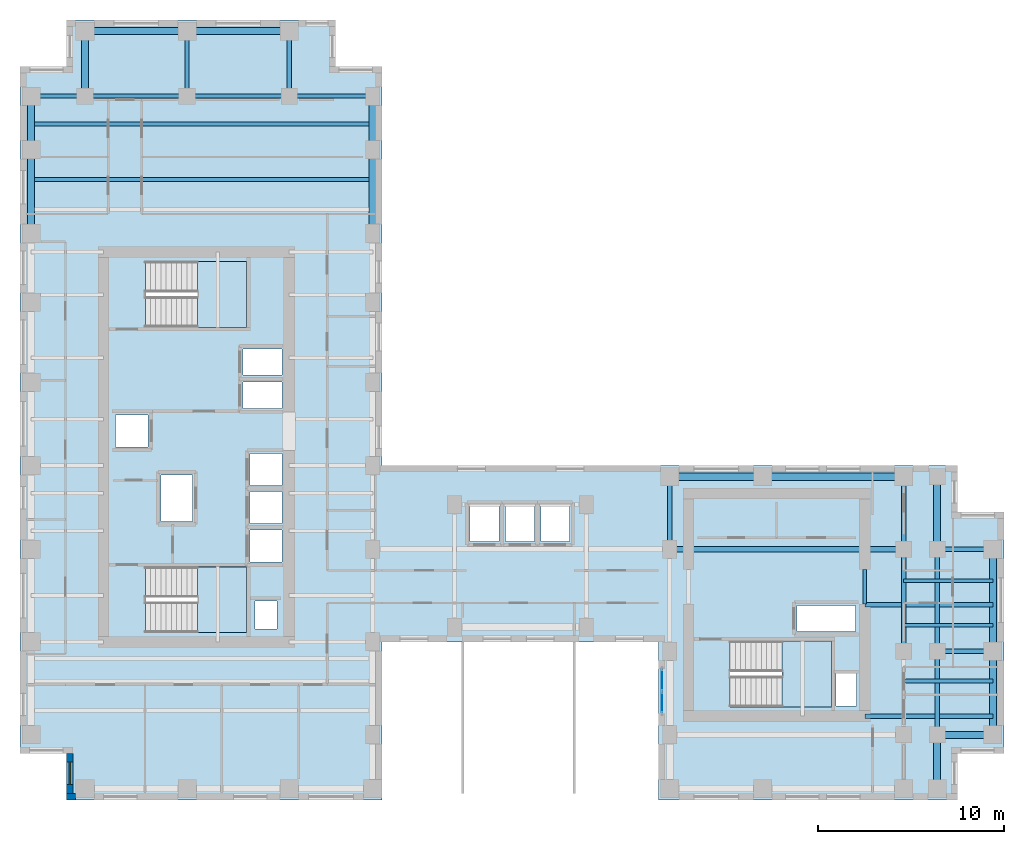
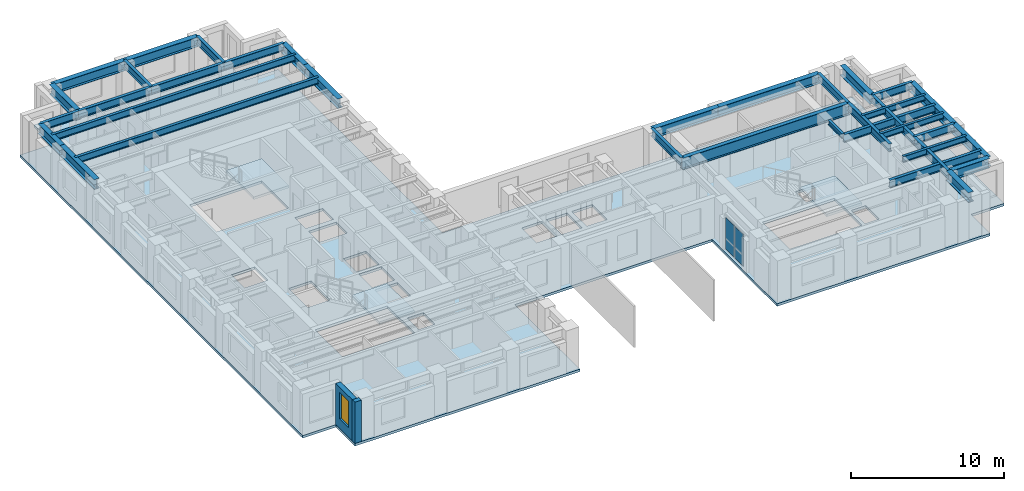
# One storey, part 3 of 12: 36 beams, 4 slabs, 2 plates, 2 walls, 1 window, 1 opening, 4 elements without a shape of their own.
"""IFC4 building model written with IfcOpenShell, lengths in metres."""

from ifc_helpers import new_model, si_unit, direction, frame, frame_2d, origin, origin_2d, place, context, subcontext, project, spatial, polyline, rectangle, i_section, outline, extrude, source, transform, mapped, material, layer, layer_set, material_profile, profile_set, type_object, element, fill, aggregate, save


model = new_model("IFC4")

# Units and contexts
model_context = context("Model", 3, precision=1e-05, world=origin(), true_north=direction((0.0, 1.0)))
body_context = subcontext(model_context, "Body", "Model", "MODEL_VIEW")
ifc_project = project(units=[si_unit("LENGTHUNIT", "METRE"), si_unit("AREAUNIT", "SQUARE_METRE"), si_unit("VOLUMEUNIT", "CUBIC_METRE"), si_unit("PLANEANGLEUNIT", "RADIAN"), si_unit("MASSUNIT", "GRAM", prefix="KILO")], contexts=[model_context])

# Site, building, storey
site_placement = place(None, origin())
site = spatial("IfcSite", under=ifc_project, at=site_placement, CompositionType="ELEMENT")
building_placement = place(site_placement, origin())
building = spatial("IfcBuilding", under=site, at=building_placement, Name="Kharzan Plaza Tower", CompositionType="ELEMENT")
storey_placement = place(building_placement, frame((0.0, 0.0, 204.300048828125)))
storey = spatial("IfcBuildingStorey", under=building, at=storey_placement, Name="L55", CompositionType="ELEMENT", Elevation=204.300048828125)

# Beams
ifc_material_1 = material(Name="Steel S355", Category="steel")
ifc_material_profile_1 = material_profile(ifc_material_1, i_section(OverallWidth=0.205078125, OverallDepth=0.35400390625, WebThickness=0.009521484375, FlangeThickness=0.016845703125, at=origin_2d()), Name="W360x79")
ifc_profile_set_1 = profile_set([ifc_material_profile_1], Name="Steel S355")
beam_type_1 = type_object("IfcBeamType", Name="BM-LNT360", PredefinedType="LINTEL", material=ifc_profile_set_1)
shared_shape_1 = source(origin(), body_context, "Body", "SweptSolid", [
    extrude(i_section(OverallWidth=0.205078125, OverallDepth=0.35400390625, WebThickness=0.009521484375, FlangeThickness=0.016845703125, at=origin_2d()), origin(), (0.0, 0.0, 1.0), 1.849853515625),
])
beam_1_placement = place(storey_placement, frame((45.5, 10.550048828125, 3.14306640625), z_axis=(0.0, 1.0, 0.0), x_axis=(-1.0, 0.0, 0.0)))
element("IfcBeam", 1, at=beam_1_placement, inside=storey, type_object=beam_type_1, Name="L55 CORE-B coupling lintel LN1-WE", PredefinedType="LINTEL", context=body_context, shape_type="MappedRepresentation", body=[
    mapped(shared_shape_1, transform((0.0, 0.0, 0.0), x_axis=(1.0, 0.0, 0.0), y_axis=(0.0, 1.0, 0.0), z_axis=(0.0, 0.0, 1.0))),
])
ifc_material_profile_2 = material_profile(ifc_material_1, i_section(OverallWidth=0.304931640625, OverallDepth=0.9189453125, WebThickness=0.017333984375, FlangeThickness=0.02783203125, at=origin_2d()), Name="W920x253")
ifc_profile_set_2 = profile_set([ifc_material_profile_2], Name="Steel S355")
beam_type_2 = type_object("IfcBeamType", Name="BM-FG920B", PredefinedType="BEAM", material=ifc_profile_set_2)
shared_shape_2 = source(origin(), body_context, "Body", "SweptSolid", [
    extrude(i_section(OverallWidth=0.304931640625, OverallDepth=0.9189453125, WebThickness=0.017333984375, FlangeThickness=0.02783203125, at=origin_2d()), origin(), (0.0, 0.0, 1.0), 12.60009765625),
])
beam_2_placement = place(storey_placement, frame((35.0, 13.5, 2.8603515625), z_axis=(1.0, 0.0, 0.0), x_axis=(0.0, 1.0, 0.0)))
element("IfcBeam", 2, at=beam_2_placement, inside=storey, type_object=beam_type_2, Name="L55 Primary Floor Girder", PredefinedType="BEAM", context=body_context, shape_type="MappedRepresentation", body=[
    mapped(shared_shape_2, transform((0.0, 0.0, 0.0), x_axis=(1.0, 0.0, 0.0), y_axis=(0.0, 1.0, 0.0), z_axis=(0.0, 0.0, 1.0))),
])
ifc_material_profile_3 = material_profile(ifc_material_1, i_section(OverallWidth=0.2099609375, OverallDepth=0.537109375, WebThickness=0.010986328125, FlangeThickness=0.017333984375, at=origin_2d()), Name="W530x101")
ifc_profile_set_3 = profile_set([ifc_material_profile_3], Name="Steel S355")
beam_type_3 = type_object("IfcBeamType", Name="BM-JST530B", PredefinedType="JOIST", material=ifc_profile_set_3)
shared_shape_3 = source(origin(), body_context, "Body", "SweptSolid", [
    extrude(i_section(OverallWidth=0.2099609375, OverallDepth=0.537109375, WebThickness=0.010986328125, FlangeThickness=0.017333984375, at=origin_2d()), origin(), (0.0, 0.0, 1.0), 18.39990234375),
])
for number, where, z_axis, x_axis, name in (
    (3, (0.60009765625, 33.39990234375, 3.051513671875), (1.0, 0.0, 0.0), (0.0, 1.0, 0.0), "L55 Wing A Composite Joist 05"),
    (4, (0.60009765625, 36.39990234375, 3.051513671875), (1.0, 0.0, 0.0), (0.0, 1.0, 0.0), "L55 Wing A Composite Joist 06"),
):
    element("IfcBeam", number, at=place(storey_placement, frame(where, z_axis=z_axis, x_axis=x_axis)), inside=storey, type_object=beam_type_3, Name=name, PredefinedType="JOIST", context=body_context, shape_type="MappedRepresentation", body=[
        mapped(shared_shape_3, transform((0.0, 0.0, 0.0), x_axis=(1.0, 0.0, 0.0), y_axis=(0.0, 1.0, 0.0), z_axis=(0.0, 0.0, 1.0))),
    ])
ifc_material_profile_4 = material_profile(ifc_material_1, i_section(OverallWidth=0.22900390625, OverallDepth=0.612060546875, WebThickness=0.011962890625, FlangeThickness=0.01953125, at=origin_2d()), Name="W610x125")
ifc_profile_set_4 = profile_set([ifc_material_profile_4], Name="Steel S355")
beam_type_4 = type_object("IfcBeamType", Name="BM-FG610B", PredefinedType="BEAM", material=ifc_profile_set_4)
shared_shape_4 = source(origin(), body_context, "Body", "SweptSolid", [
    extrude(i_section(OverallWidth=0.22900390625, OverallDepth=0.612060546875, WebThickness=0.011962890625, FlangeThickness=0.01953125, at=origin_2d()), origin(), (0.0, 0.0, 1.0), 4.5),
])
for number, where, z_axis, x_axis, name in (
    (5, (49.39990234375, 3.5, 3.013916015625), (0.0, 1.0, 0.0), (-1.0, 0.0, 0.0), "L55 Interior Frame Girder"),
    (6, (14.5, 37.89990234375, 3.013916015625), (1.0, 0.0, 0.0), (0.0, 1.0, 0.0), "L55 Primary Floor Girder"),
):
    element("IfcBeam", number, at=place(storey_placement, frame(where, z_axis=z_axis, x_axis=x_axis)), inside=storey, type_object=beam_type_4, Name=name, PredefinedType="BEAM", context=body_context, shape_type="MappedRepresentation", body=[
        mapped(shared_shape_4, transform((0.0, 0.0, 0.0), x_axis=(1.0, 0.0, 0.0), y_axis=(0.0, 1.0, 0.0), z_axis=(0.0, 0.0, 1.0))),
    ])
shared_shape_5 = source(origin(), body_context, "Body", "SweptSolid", [
    extrude(i_section(OverallWidth=0.22900390625, OverallDepth=0.612060546875, WebThickness=0.011962890625, FlangeThickness=0.01953125, at=origin_2d()), origin(), (0.0, 0.0, 1.0), 3.89990234375),
])
for number, where, z_axis, x_axis, name in (
    (7, (35.0, 13.5, 3.013916015625), (0.0, 1.0, 0.0), (-1.0, 0.0, 0.0), "L55 Interior Frame Girder"),
    (8, (47.60009765625, 13.5, 3.013916015625), (0.0, 1.0, 0.0), (-1.0, 0.0, 0.0), "L55 Interior Frame Girder"),
):
    element("IfcBeam", number, at=place(storey_placement, frame(where, z_axis=z_axis, x_axis=x_axis)), inside=storey, type_object=beam_type_4, Name=name, PredefinedType="BEAM", context=body_context, shape_type="MappedRepresentation", body=[
        mapped(shared_shape_5, transform((0.0, 0.0, 0.0), x_axis=(1.0, 0.0, 0.0), y_axis=(0.0, 1.0, 0.0), z_axis=(0.0, 0.0, 1.0))),
    ])
shared_shape_6 = source(origin(), body_context, "Body", "SweptSolid", [
    extrude(i_section(OverallWidth=0.22900390625, OverallDepth=0.612060546875, WebThickness=0.011962890625, FlangeThickness=0.01953125, at=origin_2d()), origin(), (0.0, 0.0, 1.0), 6.89990234375),
])
for number, where, z_axis, x_axis, name in (
    (9, (45.5, 4.5, 3.013916015625), (1.0, 0.0, 0.0), (0.0, 1.0, 0.0), "L55 Core-B East Floor Girder 1"),
    (10, (45.5, 10.5, 3.013916015625), (1.0, 0.0, 0.0), (0.0, 1.0, 0.0), "L55 Core-B East Floor Girder 2"),
):
    element("IfcBeam", number, at=place(storey_placement, frame(where, z_axis=z_axis, x_axis=x_axis)), inside=storey, type_object=beam_type_4, Name=name, PredefinedType="BEAM", context=body_context, shape_type="MappedRepresentation", body=[
        mapped(shared_shape_6, transform((0.0, 0.0, 0.0), x_axis=(1.0, 0.0, 0.0), y_axis=(0.0, 1.0, 0.0), z_axis=(0.0, 0.0, 1.0))),
    ])
shared_shape_7 = source(origin(), body_context, "Body", "SweptSolid", [
    extrude(i_section(OverallWidth=0.22900390625, OverallDepth=0.612060546875, WebThickness=0.011962890625, FlangeThickness=0.01953125, at=origin_2d()), origin(), (0.0, 0.0, 1.0), 3.5),
])
for number, where, z_axis, x_axis, name in (
    (11, (9.0, 37.89990234375, 3.013916015625), (0.0, 1.0, 0.0), (-1.0, 0.0, 0.0), "L55 Interior Frame Girder"),
    (12, (14.5, 37.89990234375, 3.013916015625), (0.0, 1.0, 0.0), (-1.0, 0.0, 0.0), "L55 Interior Frame Girder"),
):
    element("IfcBeam", number, at=place(storey_placement, frame(where, z_axis=z_axis, x_axis=x_axis)), inside=storey, type_object=beam_type_4, Name=name, PredefinedType="BEAM", context=body_context, shape_type="MappedRepresentation", body=[
        mapped(shared_shape_7, transform((0.0, 0.0, 0.0), x_axis=(1.0, 0.0, 0.0), y_axis=(0.0, 1.0, 0.0), z_axis=(0.0, 0.0, 1.0))),
    ])
shared_shape_8 = source(origin(), body_context, "Body", "SweptSolid", [
    extrude(i_section(OverallWidth=0.22900390625, OverallDepth=0.612060546875, WebThickness=0.011962890625, FlangeThickness=0.01953125, at=origin_2d()), origin(), (0.0, 0.0, 1.0), 5.5),
])
for number, where, z_axis, x_axis, name in (
    (13, (47.60009765625, 8.0, 3.013916015625), (0.0, 1.0, 0.0), (-1.0, 0.0, 0.0), "L55 Interior Frame Girder"),
    (14, (49.39990234375, 8.0, 3.013916015625), (0.0, 1.0, 0.0), (-1.0, 0.0, 0.0), "L55 Interior Frame Girder"),
    (15, (3.5, 37.89990234375, 3.013916015625), (1.0, 0.0, 0.0), (0.0, 1.0, 0.0), "L55 Primary Floor Girder"),
    (16, (9.0, 37.89990234375, 3.013916015625), (1.0, 0.0, 0.0), (0.0, 1.0, 0.0), "L55 Primary Floor Girder"),
):
    element("IfcBeam", number, at=place(storey_placement, frame(where, z_axis=z_axis, x_axis=x_axis)), inside=storey, type_object=beam_type_4, Name=name, PredefinedType="BEAM", context=body_context, shape_type="MappedRepresentation", body=[
        mapped(shared_shape_8, transform((0.0, 0.0, 0.0), x_axis=(1.0, 0.0, 0.0), y_axis=(0.0, 1.0, 0.0), z_axis=(0.0, 0.0, 1.0))),
    ])
shared_shape_9 = source(origin(), body_context, "Body", "SweptSolid", [
    extrude(i_section(OverallWidth=0.22900390625, OverallDepth=0.612060546875, WebThickness=0.011962890625, FlangeThickness=0.01953125, at=origin_2d()), origin(), (0.0, 0.0, 1.0), 2.89990234375),
])
beam_3_placement = place(storey_placement, frame((0.60009765625, 37.89990234375, 3.013916015625), z_axis=(1.0, 0.0, 0.0), x_axis=(0.0, 1.0, 0.0)))
element("IfcBeam", 17, at=beam_3_placement, inside=storey, type_object=beam_type_4, Name="L55 Primary Floor Girder", PredefinedType="BEAM", context=body_context, shape_type="MappedRepresentation", body=[
    mapped(shared_shape_9, transform((0.0, 0.0, 0.0), x_axis=(1.0, 0.0, 0.0), y_axis=(0.0, 1.0, 0.0), z_axis=(0.0, 0.0, 1.0))),
])
shared_shape_10 = source(origin(), body_context, "Body", "SweptSolid", [
    extrude(i_section(OverallWidth=0.22900390625, OverallDepth=0.612060546875, WebThickness=0.011962890625, FlangeThickness=0.01953125, at=origin_2d()), origin(), (0.0, 0.0, 1.0), 3.0),
])
for number, where, z_axis, x_axis, name in (
    (18, (49.39990234375, 8.0, 3.013916015625), (1.0, 0.0, 0.0), (0.0, 1.0, 0.0), "L55 Primary Floor Girder"),
    (19, (49.39990234375, 13.5, 3.013916015625), (1.0, 0.0, 0.0), (0.0, 1.0, 0.0), "L55 Primary Floor Girder"),
):
    element("IfcBeam", number, at=place(storey_placement, frame(where, z_axis=z_axis, x_axis=x_axis)), inside=storey, type_object=beam_type_4, Name=name, PredefinedType="BEAM", context=body_context, shape_type="MappedRepresentation", body=[
        mapped(shared_shape_10, transform((0.0, 0.0, 0.0), x_axis=(1.0, 0.0, 0.0), y_axis=(0.0, 1.0, 0.0), z_axis=(0.0, 0.0, 1.0))),
    ])
ifc_material_profile_5 = material_profile(ifc_material_1, i_section(OverallWidth=0.194091796875, OverallDepth=0.468994140625, WebThickness=0.011474609375, FlangeThickness=0.0205078125, at=origin_2d()), Name="W460x106")
ifc_profile_set_5 = profile_set([ifc_material_profile_5], Name="Steel S355")
beam_type_5 = type_object("IfcBeamType", Name="BM-JST460", PredefinedType="JOIST", material=ifc_profile_set_5)
shared_shape_11 = source(origin(), body_context, "Body", "SweptSolid", [
    extrude(i_section(OverallWidth=0.194091796875, OverallDepth=0.468994140625, WebThickness=0.011474609375, FlangeThickness=0.0205078125, at=origin_2d()), origin(), (0.0, 0.0, 1.0), 4.7998046875),
])
for number, where, z_axis, x_axis, name in (
    (20, (47.60009765625, 6.39990234375, 3.08544921875), (1.0, 0.0, 0.0), (0.0, 1.0, 0.0), "L55 Wing B Composite Joist 02"),
    (21, (47.60009765625, 9.39990234375, 3.08544921875), (1.0, 0.0, 0.0), (0.0, 1.0, 0.0), "L55 Wing B Composite Joist 03"),
    (22, (47.60009765625, 11.800048828125, 3.08544921875), (1.0, 0.0, 0.0), (0.0, 1.0, 0.0), "L55 Wing B Composite Joist 04"),
):
    element("IfcBeam", number, at=place(storey_placement, frame(where, z_axis=z_axis, x_axis=x_axis)), inside=storey, type_object=beam_type_5, Name=name, PredefinedType="JOIST", context=body_context, shape_type="MappedRepresentation", body=[
        mapped(shared_shape_11, transform((0.0, 0.0, 0.0), x_axis=(1.0, 0.0, 0.0), y_axis=(0.0, 1.0, 0.0), z_axis=(0.0, 0.0, 1.0))),
    ])
ifc_material_profile_6 = material_profile(ifc_material_1, i_section(OverallWidth=0.381103515625, OverallDepth=0.77294921875, WebThickness=0.0166015625, FlangeThickness=0.027587890625, at=origin_2d()), Name="W760x257")
ifc_profile_set_6 = profile_set([ifc_material_profile_6], Name="Steel S355")
beam_type_6 = type_object("IfcBeamType", Name="BM-SP760A", PredefinedType="SPANDREL", material=ifc_profile_set_6)
shared_shape_12 = source(origin(), body_context, "Body", "SweptSolid", [
    extrude(i_section(OverallWidth=0.381103515625, OverallDepth=0.77294921875, WebThickness=0.0166015625, FlangeThickness=0.027587890625, at=origin_2d()), origin(), (0.0, 0.0, 1.0), 5.0),
])
beam_4_placement = place(storey_placement, frame((35.0, 17.39990234375, 2.933349609375), z_axis=(1.0, 0.0, 0.0), x_axis=(0.0, 1.0, 0.0)))
element("IfcBeam", 23, at=beam_4_placement, inside=storey, type_object=beam_type_6, Name="L55 Perimeter Tube Spandrel", PredefinedType="SPANDREL", context=body_context, shape_type="MappedRepresentation", body=[
    mapped(shared_shape_12, transform((0.0, 0.0, 0.0), x_axis=(1.0, 0.0, 0.0), y_axis=(0.0, 1.0, 0.0), z_axis=(0.0, 0.0, 1.0))),
])
shared_shape_13 = source(origin(), body_context, "Body", "SweptSolid", [
    extrude(i_section(OverallWidth=0.381103515625, OverallDepth=0.77294921875, WebThickness=0.0166015625, FlangeThickness=0.027587890625, at=origin_2d()), origin(), (0.0, 0.0, 1.0), 4.5),
])
for number, where, z_axis, x_axis, name in (
    (24, (0.60009765625, 30.5, 2.933349609375), (0.0, 1.0, 0.0), (-1.0, 0.0, 0.0), "L55 Perimeter Tube Spandrel"),
    (25, (19.0, 30.5, 2.933349609375), (0.0, 1.0, 0.0), (-1.0, 0.0, 0.0), "L55 Perimeter Tube Spandrel"),
    (26, (52.39990234375, 3.5, 2.933349609375), (0.0, 1.0, 0.0), (-1.0, 0.0, 0.0), "L55 Perimeter Tube Spandrel"),
):
    element("IfcBeam", number, at=place(storey_placement, frame(where, z_axis=z_axis, x_axis=x_axis)), inside=storey, type_object=beam_type_6, Name=name, PredefinedType="SPANDREL", context=body_context, shape_type="MappedRepresentation", body=[
        mapped(shared_shape_13, transform((0.0, 0.0, 0.0), x_axis=(1.0, 0.0, 0.0), y_axis=(0.0, 1.0, 0.0), z_axis=(0.0, 0.0, 1.0))),
    ])
shared_shape_14 = source(origin(), body_context, "Body", "SweptSolid", [
    extrude(i_section(OverallWidth=0.381103515625, OverallDepth=0.77294921875, WebThickness=0.0166015625, FlangeThickness=0.027587890625, at=origin_2d()), origin(), (0.0, 0.0, 1.0), 2.89990234375),
])
for number, where, z_axis, x_axis, name in (
    (27, (0.60009765625, 35.0, 2.933349609375), (0.0, 1.0, 0.0), (-1.0, 0.0, 0.0), "L55 Perimeter Tube Spandrel"),
    (28, (19.0, 35.0, 2.933349609375), (0.0, 1.0, 0.0), (-1.0, 0.0, 0.0), "L55 Perimeter Tube Spandrel"),
    (29, (49.39990234375, 0.60009765625, 2.933349609375), (0.0, 1.0, 0.0), (-1.0, 0.0, 0.0), "L55 Perimeter Tube Spandrel"),
):
    element("IfcBeam", number, at=place(storey_placement, frame(where, z_axis=z_axis, x_axis=x_axis)), inside=storey, type_object=beam_type_6, Name=name, PredefinedType="SPANDREL", context=body_context, shape_type="MappedRepresentation", body=[
        mapped(shared_shape_14, transform((0.0, 0.0, 0.0), x_axis=(1.0, 0.0, 0.0), y_axis=(0.0, 1.0, 0.0), z_axis=(0.0, 0.0, 1.0))),
    ])
shared_shape_15 = source(origin(), body_context, "Body", "SweptSolid", [
    extrude(i_section(OverallWidth=0.381103515625, OverallDepth=0.77294921875, WebThickness=0.0166015625, FlangeThickness=0.027587890625, at=origin_2d()), origin(), (0.0, 0.0, 1.0), 3.5),
])
beam_5_placement = place(storey_placement, frame((3.5, 37.89990234375, 2.933349609375), z_axis=(0.0, 1.0, 0.0), x_axis=(-1.0, 0.0, 0.0)))
element("IfcBeam", 30, at=beam_5_placement, inside=storey, type_object=beam_type_6, Name="L55 Perimeter Tube Spandrel", PredefinedType="SPANDREL", context=body_context, shape_type="MappedRepresentation", body=[
    mapped(shared_shape_15, transform((0.0, 0.0, 0.0), x_axis=(1.0, 0.0, 0.0), y_axis=(0.0, 1.0, 0.0), z_axis=(0.0, 0.0, 1.0))),
])
shared_shape_16 = source(origin(), body_context, "Body", "SweptSolid", [
    extrude(i_section(OverallWidth=0.381103515625, OverallDepth=0.77294921875, WebThickness=0.0166015625, FlangeThickness=0.027587890625, at=origin_2d()), origin(), (0.0, 0.0, 1.0), 3.89990234375),
])
beam_6_placement = place(storey_placement, frame((49.39990234375, 13.5, 2.933349609375), z_axis=(0.0, 1.0, 0.0), x_axis=(-1.0, 0.0, 0.0)))
element("IfcBeam", 31, at=beam_6_placement, inside=storey, type_object=beam_type_6, Name="L55 Perimeter Tube Spandrel", PredefinedType="SPANDREL", context=body_context, shape_type="MappedRepresentation", body=[
    mapped(shared_shape_16, transform((0.0, 0.0, 0.0), x_axis=(1.0, 0.0, 0.0), y_axis=(0.0, 1.0, 0.0), z_axis=(0.0, 0.0, 1.0))),
])
shared_shape_17 = source(origin(), body_context, "Body", "SweptSolid", [
    extrude(i_section(OverallWidth=0.381103515625, OverallDepth=0.77294921875, WebThickness=0.0166015625, FlangeThickness=0.027587890625, at=origin_2d()), origin(), (0.0, 0.0, 1.0), 5.5),
])
for number, where, z_axis, x_axis, name in (
    (32, (52.39990234375, 8.0, 2.933349609375), (0.0, 1.0, 0.0), (-1.0, 0.0, 0.0), "L55 Perimeter Tube Spandrel"),
    (33, (3.5, 41.39990234375, 2.933349609375), (1.0, 0.0, 0.0), (0.0, 1.0, 0.0), "L55 Perimeter Tube Spandrel"),
    (34, (9.0, 41.39990234375, 2.933349609375), (1.0, 0.0, 0.0), (0.0, 1.0, 0.0), "L55 Perimeter Tube Spandrel"),
):
    element("IfcBeam", number, at=place(storey_placement, frame(where, z_axis=z_axis, x_axis=x_axis)), inside=storey, type_object=beam_type_6, Name=name, PredefinedType="SPANDREL", context=body_context, shape_type="MappedRepresentation", body=[
        mapped(shared_shape_17, transform((0.0, 0.0, 0.0), x_axis=(1.0, 0.0, 0.0), y_axis=(0.0, 1.0, 0.0), z_axis=(0.0, 0.0, 1.0))),
    ])
shared_shape_18 = source(origin(), body_context, "Body", "SweptSolid", [
    extrude(i_section(OverallWidth=0.381103515625, OverallDepth=0.77294921875, WebThickness=0.0166015625, FlangeThickness=0.027587890625, at=origin_2d()), origin(), (0.0, 0.0, 1.0), 7.60009765625),
])
beam_7_placement = place(storey_placement, frame((40.0, 17.39990234375, 2.933349609375), z_axis=(1.0, 0.0, 0.0), x_axis=(0.0, 1.0, 0.0)))
element("IfcBeam", 35, at=beam_7_placement, inside=storey, type_object=beam_type_6, Name="L55 Perimeter Tube Spandrel", PredefinedType="SPANDREL", context=body_context, shape_type="MappedRepresentation", body=[
    mapped(shared_shape_18, transform((0.0, 0.0, 0.0), x_axis=(1.0, 0.0, 0.0), y_axis=(0.0, 1.0, 0.0), z_axis=(0.0, 0.0, 1.0))),
])
shared_shape_19 = source(origin(), body_context, "Body", "SweptSolid", [
    extrude(i_section(OverallWidth=0.381103515625, OverallDepth=0.77294921875, WebThickness=0.0166015625, FlangeThickness=0.027587890625, at=origin_2d()), origin(), (0.0, 0.0, 1.0), 3.0),
])
beam_8_placement = place(storey_placement, frame((49.39990234375, 3.5, 2.933349609375), z_axis=(1.0, 0.0, 0.0), x_axis=(0.0, 1.0, 0.0)))
element("IfcBeam", 36, at=beam_8_placement, inside=storey, type_object=beam_type_6, Name="L55 Perimeter Tube Spandrel", PredefinedType="SPANDREL", context=body_context, shape_type="MappedRepresentation", body=[
    mapped(shared_shape_19, transform((0.0, 0.0, 0.0), x_axis=(1.0, 0.0, 0.0), y_axis=(0.0, 1.0, 0.0), z_axis=(0.0, 0.0, 1.0))),
])

# Slab
ifc_material_2 = material(Name="Concrete C40/50", Category="concrete")
ifc_layer_1 = layer(ifc_material_2, 0.199951171875)
ifc_layer_set_1 = layer_set([ifc_layer_1], Name="Concrete C40/50")
slab_type_1 = type_object("IfcSlabType", Name="SL-FLOOR-200", PredefinedType="FLOOR", material=ifc_layer_set_1)
slab_1_placement = place(storey_placement, frame((0.0, 0.0, -0.199951171875)))
element("IfcSlab", 37, at=slab_1_placement, inside=storey, type_object=slab_type_1, Name="L55 Composite Structural Floor Slab 200 mm", PredefinedType="FLOOR", context=body_context, shape_type="SweptSolid", body=[
    extrude(outline(polyline([(34.39990234375, 18.0), (19.5, 18.0), (19.5, 39.5), (17.0, 39.5), (17.0, 42.0), (2.5, 42.0), (2.5, 39.5), (0.0, 39.5), (0.0, 2.5), (2.5, 2.5), (2.5, 0.0), (19.5, 0.0), (19.5, 8.5), (34.39990234375, 8.5), (34.39990234375, 0.0), (50.5, 0.0), (50.5, 2.5), (53.0, 2.5), (53.0, 15.5), (50.5, 15.5), (50.5, 18.0), (34.39990234375, 18.0)]), holes=[polyline([(12.199951171875, 9.0), (12.199951171875, 12.550048828125), (6.75, 12.550048828125), (6.75, 9.0), (12.199951171875, 9.0)]), polyline([(14.10009765625, 12.800048828125), (14.10009765625, 14.530029296875), (12.39990234375, 14.530029296875), (12.39990234375, 12.800048828125), (14.10009765625, 12.800048828125)]), polyline([(14.10009765625, 14.8701171875), (14.10009765625, 16.60009765625), (12.39990234375, 16.60009765625), (12.39990234375, 14.8701171875), (14.10009765625, 14.8701171875)]), polyline([(9.300048828125, 15.0), (9.300048828125, 17.5), (7.60009765625, 17.5), (7.60009765625, 15.0), (9.300048828125, 15.0)]), polyline([(6.89990234375, 19.010009765625), (6.89990234375, 20.72998046875), (5.14990234375, 20.72998046875), (5.14990234375, 19.010009765625), (6.89990234375, 19.010009765625)]), polyline([(14.10009765625, 21.070068359375), (14.10009765625, 22.489990234375), (12.0, 22.489990234375), (12.0, 21.070068359375), (14.10009765625, 21.070068359375)]), polyline([(14.10009765625, 22.8701171875), (14.10009765625, 24.2900390625), (12.0, 24.2900390625), (12.0, 22.8701171875), (14.10009765625, 22.8701171875)]), polyline([(12.199951171875, 25.449951171875), (12.199951171875, 29.0), (6.75, 29.0), (6.75, 25.449951171875), (12.199951171875, 25.449951171875)]), polyline([(45.050048828125, 5.050048828125), (45.050048828125, 6.800048828125), (43.949951171875, 6.800048828125), (43.949951171875, 5.050048828125), (45.050048828125, 5.050048828125)]), polyline([(43.699951171875, 5.0), (43.699951171875, 8.550048828125), (38.25, 8.550048828125), (38.25, 5.0), (43.699951171875, 5.0)]), polyline([(45.0, 9.070068359375), (45.0, 10.469970703125), (41.85009765625, 10.469970703125), (41.85009765625, 9.070068359375), (45.0, 9.070068359375)]), polyline([(13.85009765625, 9.199951171875), (13.85009765625, 10.699951171875), (12.64990234375, 10.699951171875), (12.64990234375, 9.199951171875), (13.85009765625, 9.199951171875)]), polyline([(25.800048828125, 13.89990234375), (25.800048828125, 15.85009765625), (24.25, 15.85009765625), (24.25, 13.89990234375), (25.800048828125, 13.89990234375)]), polyline([(27.699951171875, 13.89990234375), (27.699951171875, 15.85009765625), (26.14990234375, 15.85009765625), (26.14990234375, 13.89990234375), (27.699951171875, 13.89990234375)]), polyline([(29.60009765625, 13.89990234375), (29.60009765625, 15.85009765625), (28.050048828125, 15.85009765625), (28.050048828125, 13.89990234375), (29.60009765625, 13.89990234375)]), polyline([(14.10009765625, 16.93994140625), (14.10009765625, 18.64990234375), (12.39990234375, 18.64990234375), (12.39990234375, 16.93994140625), (14.10009765625, 16.93994140625)])]), origin(), (0.0, 0.0, 1.0), 0.199951171875),
])

# Stair, slab
stair_type_1 = type_object("IfcStairType", Name="STR-ST-1", PredefinedType="HALF_TURN_STAIR", material=ifc_material_2)
stair_1_placement = place(storey_placement, origin())
stair_1 = element("IfcStair", 38, at=stair_1_placement, inside=storey, type_object=stair_type_1, Name="L55 Protected Exit Stair ST-1", PredefinedType="HALF_TURN_STAIR")
ifc_layer_2 = layer(ifc_material_2, 0.219970703125)
ifc_layer_set_2 = layer_set([ifc_layer_2], Name="Concrete C40/50")
slab_type_2 = type_object("IfcSlabType", Name="SL-LANDING-220", PredefinedType="LANDING", material=ifc_layer_set_2)
slab_2_placement = place(storey_placement, frame((0.0, 0.0, 1.599853515625)))
slab_2 = element("IfcSlab", 39, at=slab_2_placement, type_object=slab_type_2, Name="ST-1 landing 1", PredefinedType="LANDING", context=body_context, shape_type="SweptSolid", body=[
    extrude(outline(polyline([(9.550048828125, 9.0), (12.199951171875, 9.0), (12.199951171875, 12.550048828125), (9.550048828125, 12.550048828125), (9.550048828125, 9.0)])), origin(), (0.0, 0.0, 1.0), 0.2001953125),
])
aggregate(stair_1, [slab_2])

stair_type_2 = type_object("IfcStairType", Name="STR-ST-2", PredefinedType="HALF_TURN_STAIR", material=ifc_material_2)
stair_2_placement = place(storey_placement, origin())
stair_2 = element("IfcStair", 40, at=stair_2_placement, inside=storey, type_object=stair_type_2, Name="L55 Protected Exit Stair ST-2", PredefinedType="HALF_TURN_STAIR")
slab_3_placement = place(storey_placement, frame((0.0, 0.0, 1.599853515625)))
slab_3 = element("IfcSlab", 41, at=slab_3_placement, type_object=slab_type_2, Name="ST-2 landing 1", PredefinedType="LANDING", context=body_context, shape_type="SweptSolid", body=[
    extrude(outline(polyline([(9.550048828125, 25.449951171875), (12.199951171875, 25.449951171875), (12.199951171875, 29.0), (9.550048828125, 29.0), (9.550048828125, 25.449951171875)])), origin(), (0.0, 0.0, 1.0), 0.2001953125),
])
aggregate(stair_2, [slab_3])

stair_type_3 = type_object("IfcStairType", Name="STR-ST-3", PredefinedType="HALF_TURN_STAIR", material=ifc_material_2)
stair_3_placement = place(storey_placement, origin())
stair_3 = element("IfcStair", 42, at=stair_3_placement, inside=storey, type_object=stair_type_3, Name="L55 Protected Exit Stair ST-3", PredefinedType="HALF_TURN_STAIR")
slab_4_placement = place(storey_placement, frame((0.0, 0.0, 1.599853515625)))
slab_4 = element("IfcSlab", 43, at=slab_4_placement, type_object=slab_type_2, Name="ST-3 landing 1", PredefinedType="LANDING", context=body_context, shape_type="SweptSolid", body=[
    extrude(outline(polyline([(41.050048828125, 5.0), (43.699951171875, 5.0), (43.699951171875, 8.550048828125), (41.050048828125, 8.550048828125), (41.050048828125, 5.0)])), origin(), (0.0, 0.0, 1.0), 0.2001953125),
])
aggregate(stair_3, [slab_4])

# Curtain wall, plates
ifc_material_3 = material(Name="Unitised Bronze-Anodized Aluminium and Low-E Glass", Category="aluminium")
ifc_layer_3 = layer(ifc_material_3, 0.199951171875)
ifc_layer_set_3 = layer_set([ifc_layer_3], Name="Unitised Bronze-Anodized Aluminium and Low-E Glass")
curtain_wall_type = type_object("IfcCurtainWallType", Name="CW-SLOT-3", PredefinedType="NOTDEFINED", material=ifc_layer_set_3)
curtain_wall_placement = place(storey_placement, origin())
curtain_wall = element("IfcCurtainWall", 44, at=curtain_wall_placement, inside=storey, type_object=curtain_wall_type, Name="L55 East Slot Recessed Spine Curtain Wall", PredefinedType="NOTDEFINED")
ifc_material_4 = material(Name="Dark Solar-Control Double Glazing", Category="glass")
ifc_layer_4 = layer(ifc_material_4, 0.031982421875)
ifc_layer_set_4 = layer_set([ifc_layer_4], Name="Dark Solar-Control Double Glazing")
plate_type = type_object("IfcPlateType", Name="PLT-CW-GLASS", PredefinedType="CURTAIN_PANEL", material=ifc_layer_set_4)
shared_shape_20 = source(origin(), body_context, "Body", "SweptSolid", [
    extrude(rectangle(XDim=1.080078125, YDim=0.031982421875, at=origin_2d()), origin(), (0.0, 0.0, 1.0), 2.5400390625),
])
plate_1_placement = place(storey_placement, frame((34.580078125, 5.25, 0.079833984375), z_axis=(0.0, 0.0, 1.0), x_axis=(0.0, 1.0, 0.0)))
plate_1 = element("IfcPlate", 45, at=plate_1_placement, type_object=plate_type, Name="L55 Curtain-Wall Glazed Panel 00", PredefinedType="CURTAIN_PANEL", context=body_context, shape_type="MappedRepresentation", body=[
    mapped(shared_shape_20, transform((0.0, 0.0, 0.0), x_axis=(1.0, 0.0, 0.0), y_axis=(0.0, 1.0, 0.0), z_axis=(0.0, 0.0, 1.0))),
])
plate_2_placement = place(storey_placement, frame((34.580078125, 6.449951171875, 0.079833984375), z_axis=(0.0, 0.0, 1.0), x_axis=(0.0, 1.0, 0.0)))
plate_2 = element("IfcPlate", 46, at=plate_2_placement, type_object=plate_type, Name="L55 Curtain-Wall Glazed Panel 01", PredefinedType="CURTAIN_PANEL", context=body_context, shape_type="MappedRepresentation", body=[
    mapped(shared_shape_20, transform((0.0, 0.0, 0.0), x_axis=(1.0, 0.0, 0.0), y_axis=(0.0, 1.0, 0.0), z_axis=(0.0, 0.0, 1.0))),
])
aggregate(curtain_wall, [plate_1, plate_2])

# Wall, opening, window
ifc_layer_5 = layer(ifc_material_2, 0.35009765625)
ifc_layer_set_5 = layer_set([ifc_layer_5], Name="Concrete C40/50")
wall_type = type_object("IfcWallType", Name="WL-EXT-MAS-Z3", PredefinedType="SOLIDWALL", material=ifc_layer_set_5)
wall_1_placement = place(storey_placement, frame((2.675048828125, 2.501953125, 0.0), z_axis=(0.0, 0.0, 1.0), x_axis=(0.0, -1.0, 0.0)))
wall_1 = element("IfcWall", 47, at=wall_1_placement, inside=storey, type_object=wall_type, Name="L55 Masonry-Frame Exterior Wall 19", PredefinedType="SOLIDWALL", context=body_context, shape_type="SweptSolid", body=[
    extrude(rectangle(XDim=2.154052734375, YDim=0.35009765625, at=frame_2d((1.0771484375, 0.0))), origin(), (0.0, 0.0, 1.0), 3.304931640625),
])
opening_placement = place(wall_1_placement, frame((0.47705078125, 0.0, 0.780029296875)))
opening = element("IfcOpeningElement", 48, at=opening_placement, cuts=wall_1, Name="Opening W3", PredefinedType="OPENING", context=body_context, shape_type="SweptSolid", body=[
    extrude(rectangle(XDim=1.199951171875, YDim=2.10009765625, at=frame_2d((0.60009765625, 1.050048828125))), frame((0.0, 0.18505859375, 0.0), z_axis=(0.0, -1.0, 0.0), x_axis=(1.0, 0.0, 0.0)), (0.0, 0.0, 1.0), 0.3701171875),
])
ifc_material_5 = material(Name="Low-E Double Glazing", Category="glass")
window_type = type_object("IfcWindowType", Name="WN-REC-1200x2100", PartitioningType="SINGLE_PANEL", PredefinedType="WINDOW", material=ifc_material_5)
shared_shape_21 = source(origin(), body_context, "Body", "SweptSolid", [
    extrude(rectangle(XDim=1.199951171875, YDim=2.10009765625, at=frame_2d((0.60009765625, 1.050048828125))), frame((0.0, 0.030029296875, 0.0), z_axis=(0.0, -1.0, 0.0), x_axis=(1.0, 0.0, 0.0)), (0.0, 0.0, 1.0), 0.06005859375),
])
window_placement = place(opening_placement, origin())
window = element("IfcWindow", 49, at=window_placement, inside=storey, type_object=window_type, Name="L55 Recessed Solar-Control Window 19-1", OverallHeight=2.10009765625, OverallWidth=1.199951171875, PartitioningType="SINGLE_PANEL", PredefinedType="WINDOW", context=body_context, shape_type="MappedRepresentation", body=[
    mapped(shared_shape_21, transform((0.0, 0.0, 0.0), x_axis=(1.0, 0.0, 0.0), y_axis=(0.0, 1.0, 0.0), z_axis=(0.0, 0.0, 1.0))),
])
fill(opening, window)

# Wall
shared_shape_22 = source(origin(), body_context, "Body", "SweptSolid", [
    extrude(rectangle(XDim=0.501953125, YDim=0.35009765625, at=frame_2d((0.2509765625, 0.0))), origin(), (0.0, 0.0, 1.0), 3.304931640625),
])
wall_2_placement = place(storey_placement, frame((2.5, 0.175048828125, 0.0), z_axis=(0.0, 0.0, 1.0), x_axis=(1.0, 0.0, 0.0)))
element("IfcWall", 50, at=wall_2_placement, inside=storey, type_object=wall_type, Name="L55 Masonry-Frame Exterior Wall 20", PredefinedType="SOLIDWALL", context=body_context, shape_type="MappedRepresentation", body=[
    mapped(shared_shape_22, transform((0.0, 0.0, 0.0), x_axis=(1.0, 0.0, 0.0), y_axis=(0.0, 1.0, 0.0), z_axis=(0.0, 0.0, 1.0))),
])

save(model, "model.ifc")
